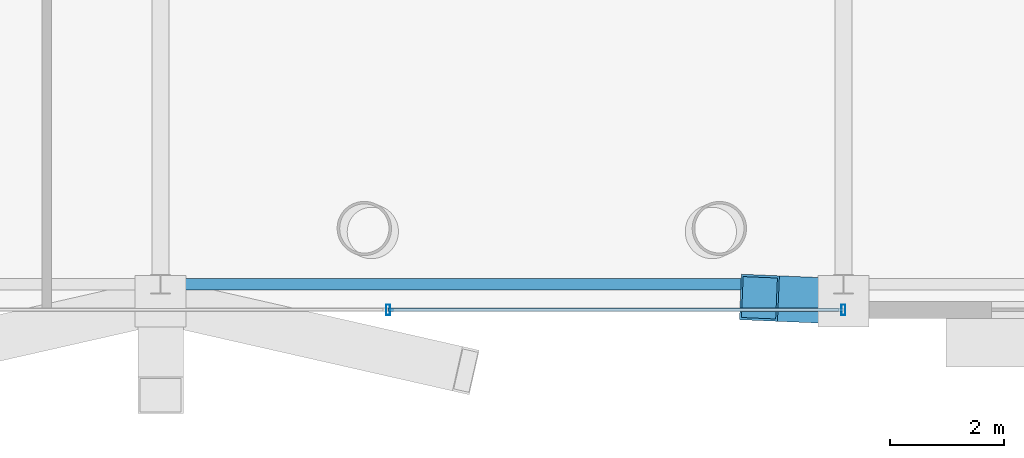
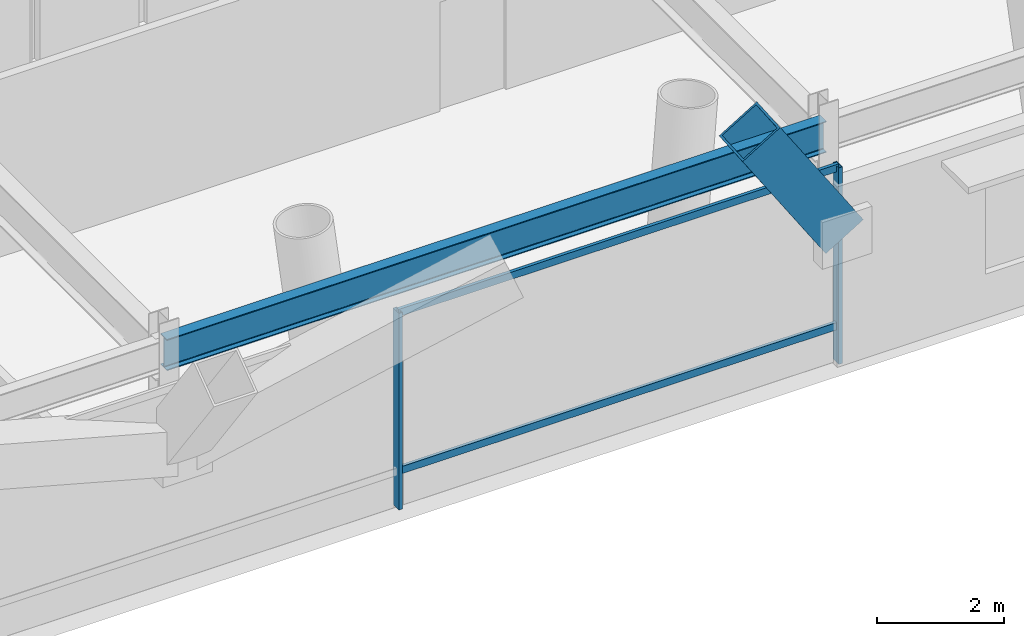
# One storey, part 8 of 21: 5 members, 1 beam, 1 element without a shape of its own.
"""IFC4 building model written with IfcOpenShell, lengths in metres."""

from ifc_helpers import new_model, si_unit, direction, frame, origin, origin_2d, place, context, subcontext, project, spatial, hollow_rectangle, i_section, extrude, material, layer, layer_set, material_profile, profile_set, type_object, element, aggregate, save


model = new_model("IFC4")

# Units and contexts
model_context = context("Model", 3, precision=1e-05, world=origin(), true_north=direction((0.0, 1.0)))
body_context = subcontext(model_context, "Body", "Model", "MODEL_VIEW")
ifc_project = project(units=[si_unit("LENGTHUNIT", "METRE"), si_unit("AREAUNIT", "SQUARE_METRE"), si_unit("VOLUMEUNIT", "CUBIC_METRE"), si_unit("PLANEANGLEUNIT", "RADIAN"), si_unit("MASSUNIT", "GRAM", prefix="KILO")], contexts=[model_context])

# Site, building, storey
site_placement = place(None, origin())
site = spatial("IfcSite", under=ifc_project, at=site_placement, CompositionType="ELEMENT")
building_placement = place(site_placement, origin())
building = spatial("IfcBuilding", under=site, at=building_placement, Name="Veldorina Hangang Commons", CompositionType="ELEMENT")
storey_placement = place(building_placement, frame((0.0, 0.0, 19.60009765625)))
storey = spatial("IfcBuildingStorey", under=building, at=storey_placement, Name="L04", CompositionType="ELEMENT", Elevation=19.60009765625)

# Beam
ifc_material_1 = material(Name="Steel SM420-TMC", Category="steel")
ifc_material_profile_1 = material_profile(ifc_material_1, i_section(OverallWidth=0.199951171875, OverallDepth=0.60009765625, WebThickness=0.010986328125, FlangeThickness=0.01708984375, FilletRadius=0.01806640625, at=origin_2d()), Name="H-600x200x11x17")
ifc_profile_set_1 = profile_set([ifc_material_profile_1], Name="Steel SM420-TMC")
beam_type = type_object("IfcBeamType", Name="BM-SPN600", PredefinedType="SPANDREL", material=ifc_profile_set_1)
beam_placement = place(storey_placement, frame((32.0, 3.449951171875, 4.099853515625), z_axis=(1.0, 0.0, 0.0), x_axis=(0.0, 1.0, 0.0)))
element("IfcBeam", 1, at=beam_placement, inside=storey, type_object=beam_type, Name="L04 south spandrel beam 3", PredefinedType="SPANDREL", context=body_context, shape_type="SweptSolid", body=[
    extrude(i_section(OverallWidth=0.199951171875, OverallDepth=0.60009765625, WebThickness=0.010986328125, FlangeThickness=0.01708984375, FilletRadius=0.01806640625, at=origin_2d()), origin(), (0.0, 0.0, 1.0), 12.0),
])

# Curtain wall, members
ifc_material_2 = material(Name="Glass Low-E Triple IGU", Category="glass")
ifc_layer = layer(ifc_material_2, 0.179931640625)
ifc_layer_set = layer_set([ifc_layer], Name="Glass Low-E Triple IGU")
curtain_wall_type = type_object("IfcCurtainWallType", Name="CW-SYS-POD", PredefinedType="NOTDEFINED", material=ifc_layer_set)
curtain_wall_placement = place(storey_placement, origin())
curtain_wall = element("IfcCurtainWall", 2, at=curtain_wall_placement, inside=storey, type_object=curtain_wall_type, Name="L04 unitised curtain wall CW-L04-S-CTR", PredefinedType="NOTDEFINED")
ifc_material_3 = material(Name="Aluminium Anodized AA6063-T6", Category="aluminium")
ifc_material_profile_2 = material_profile(ifc_material_3, hollow_rectangle(XDim=0.070068359375, YDim=0.179931640625, WallThickness=0.00390625, at=origin_2d()), Name="ALU-RHS-180x70x4")
ifc_profile_set_2 = profile_set([ifc_material_profile_2], Name="Aluminium Anodized AA6063-T6")
member_type_1 = type_object("IfcMemberType", Name="CW-MUL-180", PredefinedType="MULLION", material=ifc_profile_set_2)
member_1_placement = place(storey_placement, frame((36.0, 3.0, 0.0), z_axis=(0.0, 0.0, 1.0), x_axis=(1.0, 0.0, 0.0)))
member_1 = element("IfcMember", 3, at=member_1_placement, type_object=member_type_1, Name="CW-L04-S-CTR vertical mullion 2", PredefinedType="MULLION", context=body_context, shape_type="SweptSolid", body=[
    extrude(hollow_rectangle(XDim=0.070068359375, YDim=0.179931640625, WallThickness=0.00390625, at=origin_2d()), origin(), (0.0, 0.0, 1.0), 3.77978515625),
])
member_2_placement = place(storey_placement, frame((44.0, 3.0, 0.0), z_axis=(0.0, 0.0, 1.0), x_axis=(-1.0, 0.0, 0.0)))
member_2 = element("IfcMember", 4, at=member_2_placement, type_object=member_type_1, Name="CW-L04-S-CTR vertical mullion 3", PredefinedType="MULLION", context=body_context, shape_type="SweptSolid", body=[
    extrude(hollow_rectangle(XDim=0.070068359375, YDim=0.179931640625, WallThickness=0.00390625, at=origin_2d()), origin(), (0.0, 0.0, 1.0), 3.77978515625),
])
ifc_material_profile_3 = material_profile(ifc_material_3, hollow_rectangle(XDim=0.06005859375, YDim=0.139892578125, WallThickness=0.00341796875, at=origin_2d()), Name="ALU-RHS-140x60x3.5")
ifc_profile_set_3 = profile_set([ifc_material_profile_3], Name="Aluminium Anodized AA6063-T6")
member_type_2 = type_object("IfcMemberType", Name="CW-TRN-140", PredefinedType="USERDEFINED", material=ifc_profile_set_3)
member_3_placement = place(storey_placement, frame((36.0, 3.0, 0.699951171875), z_axis=(1.0, 0.0, 0.0), x_axis=(0.0, 1.0, 0.0)))
member_3 = element("IfcMember", 5, at=member_3_placement, type_object=member_type_2, Name="CW-L04-S-CTR facet 3 transom 1", ObjectType="TRANSOM", PredefinedType="USERDEFINED", context=body_context, shape_type="SweptSolid", body=[
    extrude(hollow_rectangle(XDim=0.06005859375, YDim=0.139892578125, WallThickness=0.00341796875, at=origin_2d()), origin(), (0.0, 0.0, 1.0), 8.0),
])
member_4_placement = place(storey_placement, frame((36.0, 3.0, 3.739990234375), z_axis=(1.0, 0.0, 0.0), x_axis=(0.0, 1.0, 0.0)))
member_4 = element("IfcMember", 6, at=member_4_placement, type_object=member_type_2, Name="CW-L04-S-CTR facet 3 transom 2", ObjectType="TRANSOM", PredefinedType="USERDEFINED", context=body_context, shape_type="SweptSolid", body=[
    extrude(hollow_rectangle(XDim=0.06005859375, YDim=0.139892578125, WallThickness=0.00341796875, at=origin_2d()), origin(), (0.0, 0.0, 1.0), 8.0),
])
aggregate(curtain_wall, [member_1, member_2, member_3, member_4])

# Member
ifc_material_4 = material(Name="Steel SM490-TMC", Category="steel")
ifc_material_profile_4 = material_profile(ifc_material_4, hollow_rectangle(XDim=0.800048828125, YDim=0.800048828125, WallThickness=0.0400390625, at=origin_2d()), Name="BOX-800x800x40")
ifc_profile_set_4 = profile_set([ifc_material_profile_4], Name="Steel SM490-TMC")
member_type_3 = type_object("IfcMemberType", Name="TR-BOX800", PredefinedType="BRACE", material=ifc_profile_set_4)
member_5_placement = place(storey_placement, frame((44.0, 3.14990234375, 2.5498046875), z_axis=(-0.548443978364, 0.023309095823, 0.835862362263), x_axis=(-0.042462081417, -0.99909807909, 0.0)))
element("IfcMember", 7, at=member_5_placement, inside=storey, type_object=member_type_3, Name="L04 podium-to-transfer raking strut 26", PredefinedType="BRACE", context=body_context, shape_type="SweptSolid", body=[
    extrude(hollow_rectangle(XDim=0.800048828125, YDim=0.800048828125, WallThickness=0.0400390625, at=origin_2d()), origin(), (0.0, 0.0, 1.0), 2.69189453125),
])

save(model, "model.ifc")
